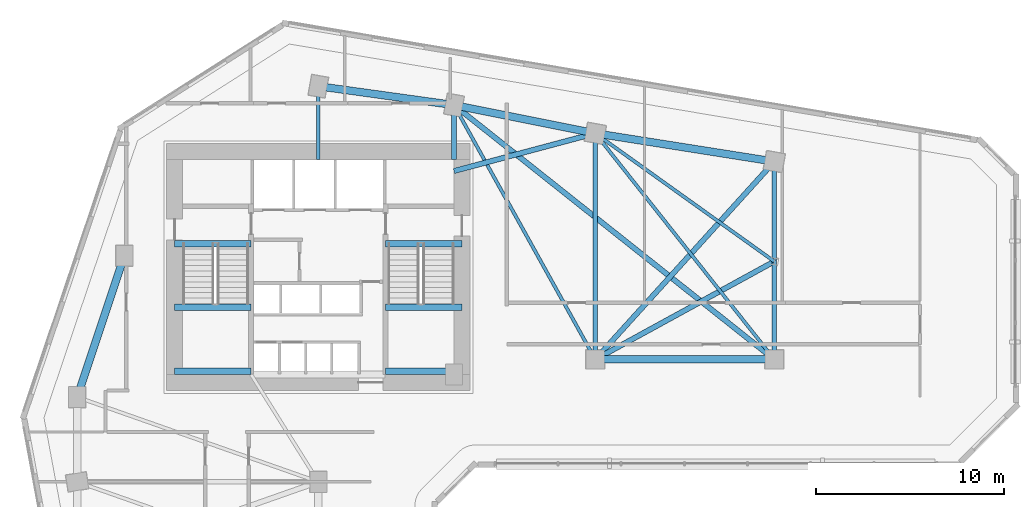
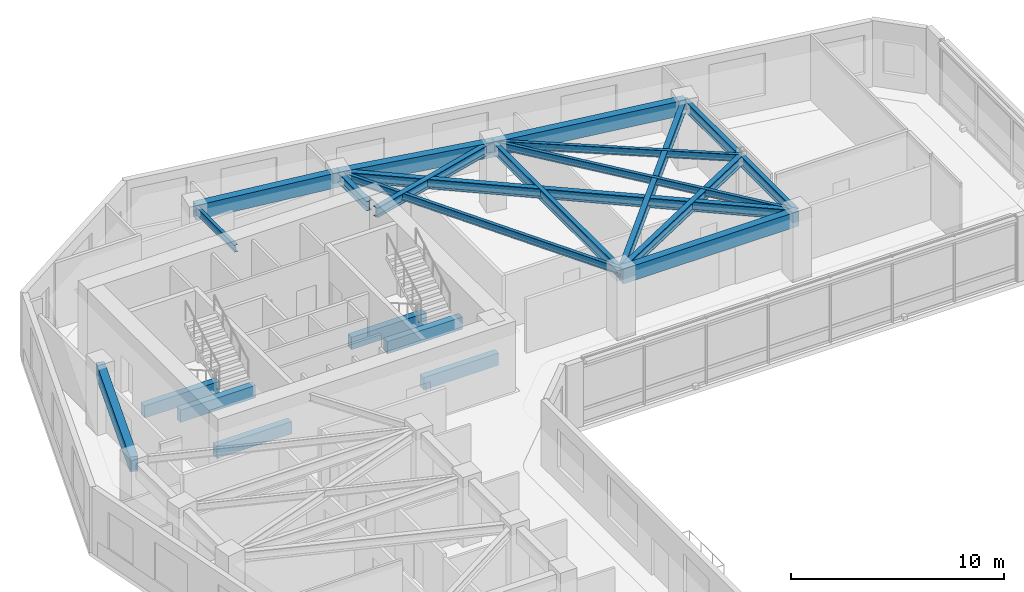
# One storey, part 3 of 12: 22 beams.
"""IFC4 building model written with IfcOpenShell, lengths in metres."""

from ifc_helpers import new_model, si_unit, direction, frame, origin, origin_2d, place, context, subcontext, project, spatial, rectangle, i_section, extrude, source, transform, mapped, material, material_profile, profile_set, type_object, element, save


model = new_model("IFC4")

# Units and contexts
model_context = context("Model", 3, precision=1e-05, world=origin(), true_north=direction((0.0, 1.0)))
body_context = subcontext(model_context, "Body", "Model", "MODEL_VIEW")
ifc_project = project(units=[si_unit("LENGTHUNIT", "METRE"), si_unit("AREAUNIT", "SQUARE_METRE"), si_unit("VOLUMEUNIT", "CUBIC_METRE"), si_unit("PLANEANGLEUNIT", "RADIAN"), si_unit("MASSUNIT", "GRAM", prefix="KILO")], contexts=[model_context])

# Site, building, storey
site_placement = place(None, origin())
site = spatial("IfcSite", under=ifc_project, at=site_placement, CompositionType="ELEMENT")
building_placement = place(site_placement, origin())
building = spatial("IfcBuilding", under=site, at=building_placement, Name="Calvemar Wedge Station Tower", CompositionType="ELEMENT")
storey_placement = place(building_placement, frame((0.0, 0.0, 51.0)))
storey = spatial("IfcBuildingStorey", under=building, at=storey_placement, Name="L12", CompositionType="ELEMENT", Elevation=51.0)

# Beams
ifc_material_1 = material(Name="Concrete C70", Category="concrete")
ifc_material_profile_1 = material_profile(ifc_material_1, rectangle(XDim=0.35009765625, YDim=0.699951171875, at=origin_2d()), Name="RC350x700")
ifc_profile_set_1 = profile_set([ifc_material_profile_1], Name="Concrete C70")
beam_type_1 = type_object("IfcBeamType", Name="BM-LN1-700", PredefinedType="LINTEL", material=ifc_profile_set_1)
shared_shape_1 = source(origin(), body_context, "Body", "SweptSolid", [
    extrude(rectangle(XDim=0.35009765625, YDim=0.699951171875, at=origin_2d()), origin(), (0.0, 0.0, 1.0), 4.054931640625),
])
for number, where, z_axis, x_axis, name in (
    (1, (16.175048828125, 41.14990234375, -0.35009765625), (1.0, 0.0, 0.0), (0.0, 1.0, 0.0), "Storey L12 Stair ST-C1 Landing Trimmer Beam"),
    (2, (27.3701171875, 41.14990234375, -0.35009765625), (1.0, 0.0, 0.0), (0.0, 1.0, 0.0), "Storey L12 Stair ST-C2 Landing Trimmer Beam"),
    (3, (16.175048828125, 34.3798828125, 1.449951171875), (1.0, 0.0, 0.0), (0.0, 1.0, 0.0), "Storey L12 Stair ST-C1 Half-Landing Beam 1A"),
    (4, (16.175048828125, 37.780029296875, 1.449951171875), (1.0, 0.0, 0.0), (0.0, 1.0, 0.0), "Storey L12 Stair ST-C1 Half-Landing Beam 1B"),
    (5, (27.3701171875, 34.3798828125, 1.449951171875), (1.0, 0.0, 0.0), (0.0, 1.0, 0.0), "Storey L12 Stair ST-C2 Half-Landing Beam 1A"),
    (6, (27.3701171875, 37.780029296875, 1.449951171875), (1.0, 0.0, 0.0), (0.0, 1.0, 0.0), "Storey L12 Stair ST-C2 Half-Landing Beam 1B"),
):
    element("IfcBeam", number, at=place(storey_placement, frame(where, z_axis=z_axis, x_axis=x_axis)), inside=storey, type_object=beam_type_1, Name=name, PredefinedType="LINTEL", context=body_context, shape_type="MappedRepresentation", body=[
        mapped(shared_shape_1, transform((0.0, 0.0, 0.0), scale=1.0)),
    ])
ifc_material_2 = material(Name="Concrete C60", Category="concrete")
ifc_material_profile_2 = material_profile(ifc_material_2, rectangle(XDim=0.39990234375, YDim=0.85009765625, at=origin_2d()), Name="RC400x850")
ifc_profile_set_2 = profile_set([ifc_material_profile_2], Name="Concrete C60")
beam_type_2 = type_object("IfcBeamType", Name="BM-SP1-850", PredefinedType="SPANDREL", material=ifc_profile_set_2)
shared_shape_2 = source(origin(), body_context, "Body", "SweptSolid", [
    extrude(rectangle(XDim=0.39990234375, YDim=0.85009765625, at=origin_2d()), origin(), (0.0, 0.0, 1.0), 7.90576171875),
])
beam_1_placement = place(storey_placement, frame((11.0, 33.0, 3.324951171875), z_axis=(0.316227766017, 0.948683298051, 0.0), x_axis=(-0.948683298051, 0.316227766017, 0.0)))
element("IfcBeam", 7, at=beam_1_placement, inside=storey, type_object=beam_type_2, Name="Storey L12 Spandrel T-NW1-T-NW2", PredefinedType="SPANDREL", context=body_context, shape_type="MappedRepresentation", body=[
    mapped(shared_shape_2, transform((0.0, 0.0, 0.0), scale=1.0)),
])
shared_shape_3 = source(origin(), body_context, "Body", "SweptSolid", [
    extrude(rectangle(XDim=0.39990234375, YDim=0.85009765625, at=origin_2d()), origin(), (0.0, 0.0, 1.0), 7.26904296875),
])
beam_2_placement = place(storey_placement, frame((23.800048828125, 49.5, 3.324951171875), z_axis=(0.990492146053, -0.13756928657, 0.0), x_axis=(0.13756928657, 0.990492146053, 0.0)))
element("IfcBeam", 8, at=beam_2_placement, inside=storey, type_object=beam_type_2, Name="Storey L12 Spandrel T-N1-T-N2", PredefinedType="SPANDREL", context=body_context, shape_type="MappedRepresentation", body=[
    mapped(shared_shape_3, transform((0.0, 0.0, 0.0), scale=1.0)),
])
shared_shape_4 = source(origin(), body_context, "Body", "SweptSolid", [
    extrude(rectangle(XDim=0.39990234375, YDim=0.85009765625, at=origin_2d()), origin(), (0.0, 0.0, 1.0), 7.6484375),
])
beam_3_placement = place(storey_placement, frame((31.0, 48.5, 3.324951171875), z_axis=(0.980580675691, -0.196116135138, 0.0), x_axis=(0.196116135138, 0.980580675691, 0.0)))
element("IfcBeam", 9, at=beam_3_placement, inside=storey, type_object=beam_type_2, Name="Storey L12 Spandrel T-N2-T-NU3", PredefinedType="SPANDREL", context=body_context, shape_type="MappedRepresentation", body=[
    mapped(shared_shape_4, transform((0.0, 0.0, 0.0), scale=1.0)),
])
shared_shape_5 = source(origin(), body_context, "Body", "SweptSolid", [
    extrude(rectangle(XDim=0.39990234375, YDim=0.85009765625, at=origin_2d()), origin(), (0.0, 0.0, 1.0), 9.61767578125),
])
beam_4_placement = place(storey_placement, frame((38.5, 47.0, 3.324951171875), z_axis=(0.987762965329, -0.155962573473, 0.0), x_axis=(0.155962573473, 0.987762965329, 0.0)))
element("IfcBeam", 10, at=beam_4_placement, inside=storey, type_object=beam_type_2, Name="Storey L12 Spandrel T-NU3-T-NU4", PredefinedType="SPANDREL", context=body_context, shape_type="MappedRepresentation", body=[
    mapped(shared_shape_5, transform((0.0, 0.0, 0.0), scale=1.0)),
])
shared_shape_6 = source(origin(), body_context, "Body", "SweptSolid", [
    extrude(rectangle(XDim=0.39990234375, YDim=0.85009765625, at=origin_2d()), origin(), (0.0, 0.0, 1.0), 9.5),
])
beam_5_placement = place(storey_placement, frame((38.5, 35.0, 3.324951171875), z_axis=(1.0, 0.0, 0.0), x_axis=(0.0, 1.0, 0.0)))
element("IfcBeam", 11, at=beam_5_placement, inside=storey, type_object=beam_type_2, Name="Storey L12 Spandrel T-NL2-T-NL3", PredefinedType="SPANDREL", context=body_context, shape_type="MappedRepresentation", body=[
    mapped(shared_shape_6, transform((0.0, 0.0, 0.0), scale=1.0)),
])
ifc_material_3 = material(Name="Structural steel ASTM A572 Grade 50", Category="steel")
ifc_material_profile_3 = material_profile(ifc_material_3, i_section(OverallWidth=0.22998046875, OverallDepth=0.616943359375, WebThickness=0.01318359375, FlangeThickness=0.022216796875, FilletRadius=0.012939453125, at=origin_2d()), Name="W610x140")
ifc_profile_set_3 = profile_set([ifc_material_profile_3], Name="Structural steel ASTM A572 Grade 50")
beam_type_3 = type_object("IfcBeamType", Name="BM-SB2-W610", PredefinedType="BEAM", material=ifc_profile_set_3)
shared_shape_7 = source(origin(), body_context, "Body", "SweptSolid", [
    extrude(i_section(OverallWidth=0.22998046875, OverallDepth=0.616943359375, WebThickness=0.01318359375, FlangeThickness=0.022216796875, FilletRadius=0.012939453125, at=origin_2d()), origin(), (0.0, 0.0, 1.0), 12.0),
])
beam_6_placement = place(storey_placement, frame((38.5, 47.0, 3.44140625), z_axis=(0.0, -1.0, 0.0), x_axis=(1.0, 0.0, 0.0)))
element("IfcBeam", 12, at=beam_6_placement, inside=storey, type_object=beam_type_3, Name="Storey L12 Floor Beam T-NU3-T-NL2", PredefinedType="BEAM", context=body_context, shape_type="MappedRepresentation", body=[
    mapped(shared_shape_7, transform((0.0, 0.0, 0.0), scale=1.0)),
])
shared_shape_8 = source(origin(), body_context, "Body", "SweptSolid", [
    extrude(i_section(OverallWidth=0.22998046875, OverallDepth=0.616943359375, WebThickness=0.01318359375, FlangeThickness=0.022216796875, FilletRadius=0.012939453125, at=origin_2d()), origin(), (0.0, 0.0, 1.0), 10.5),
])
beam_7_placement = place(storey_placement, frame((48.0, 45.5, 3.44140625), z_axis=(0.0, -1.0, 0.0), x_axis=(1.0, 0.0, 0.0)))
element("IfcBeam", 13, at=beam_7_placement, inside=storey, type_object=beam_type_3, Name="Storey L12 Floor Beam T-NU4-T-NL3", PredefinedType="BEAM", context=body_context, shape_type="MappedRepresentation", body=[
    mapped(shared_shape_8, transform((0.0, 0.0, 0.0), scale=1.0)),
])
ifc_material_profile_4 = material_profile(ifc_material_3, i_section(OverallWidth=0.177978515625, OverallDepth=0.406982421875, WebThickness=0.0078125, FlangeThickness=0.0126953125, FilletRadius=0.010009765625, at=origin_2d()), Name="W410x60")
ifc_profile_set_4 = profile_set([ifc_material_profile_4], Name="Structural steel ASTM A572 Grade 50")
beam_type_4 = type_object("IfcBeamType", Name="BM-J3-W410", PredefinedType="JOIST", material=ifc_profile_set_4)
shared_shape_9 = source(origin(), body_context, "Body", "SweptSolid", [
    extrude(i_section(OverallWidth=0.177978515625, OverallDepth=0.406982421875, WebThickness=0.0078125, FlangeThickness=0.0126953125, FilletRadius=0.010009765625, at=origin_2d()), origin(), (0.0, 0.0, 1.0), 15.443359375),
])
beam_8_placement = place(storey_placement, frame((31.0, 48.5, 3.54638671875), z_axis=(0.485642931179, -0.874157276122, 0.0), x_axis=(0.874157276122, 0.485642931179, 0.0)))
element("IfcBeam", 14, at=beam_8_placement, inside=storey, type_object=beam_type_4, Name="Storey L12 Floor Beam T-N2-T-NL2", PredefinedType="JOIST", context=body_context, shape_type="MappedRepresentation", body=[
    mapped(shared_shape_9, transform((0.0, 0.0, 0.0), scale=1.0)),
])
ifc_material_profile_5 = material_profile(ifc_material_3, i_section(OverallWidth=0.279052734375, OverallDepth=0.553955078125, WebThickness=0.017578125, FlangeThickness=0.029541015625, FilletRadius=0.014892578125, at=origin_2d()), Name="W530x196")
ifc_profile_set_5 = profile_set([ifc_material_profile_5], Name="Structural steel ASTM A572 Grade 50")
beam_type_5 = type_object("IfcBeamType", Name="BM-SB3-W530H", PredefinedType="BEAM", material=ifc_profile_set_5)
shared_shape_10 = source(origin(), body_context, "Body", "SweptSolid", [
    extrude(i_section(OverallWidth=0.279052734375, OverallDepth=0.553955078125, WebThickness=0.017578125, FlangeThickness=0.029541015625, FilletRadius=0.014892578125, at=origin_2d()), origin(), (0.0, 0.0, 1.0), 21.708251953125),
])
beam_9_placement = place(storey_placement, frame((31.0, 48.5, 3.472900390625), z_axis=(0.783110847498, -0.621882143602, 0.0), x_axis=(0.621882143602, 0.783110847498, 0.0)))
element("IfcBeam", 15, at=beam_9_placement, inside=storey, type_object=beam_type_5, Name="Storey L12 Floor Beam T-N2-T-NL3", PredefinedType="BEAM", context=body_context, shape_type="MappedRepresentation", body=[
    mapped(shared_shape_10, transform((0.0, 0.0, 0.0), scale=1.0)),
])
shared_shape_11 = source(origin(), body_context, "Body", "SweptSolid", [
    extrude(i_section(OverallWidth=0.177978515625, OverallDepth=0.406982421875, WebThickness=0.0078125, FlangeThickness=0.0126953125, FilletRadius=0.010009765625, at=origin_2d()), origin(), (0.0, 0.0, 1.0), 15.30517578125),
])
beam_10_placement = place(storey_placement, frame((38.5, 47.0, 3.54638671875), z_axis=(0.620702944366, -0.784045824462, 0.0), x_axis=(0.784045824462, 0.620702944366, 0.0)))
element("IfcBeam", 16, at=beam_10_placement, inside=storey, type_object=beam_type_4, Name="Storey L12 Floor Beam T-NU3-T-NL3", PredefinedType="JOIST", context=body_context, shape_type="MappedRepresentation", body=[
    mapped(shared_shape_11, transform((0.0, 0.0, 0.0), scale=1.0)),
])
shared_shape_12 = source(origin(), body_context, "Body", "SweptSolid", [
    extrude(i_section(OverallWidth=0.279052734375, OverallDepth=0.553955078125, WebThickness=0.017578125, FlangeThickness=0.029541015625, FilletRadius=0.014892578125, at=origin_2d()), origin(), (0.0, 0.0, 1.0), 14.159912109375),
])
beam_11_placement = place(storey_placement, frame((38.5, 35.0, 3.472900390625), z_axis=(0.670913323969, 0.741535779124, 0.0), x_axis=(-0.741535779124, 0.670913323969, 0.0)))
element("IfcBeam", 17, at=beam_11_placement, inside=storey, type_object=beam_type_5, Name="Storey L12 Floor Beam T-NL2-T-NU4", PredefinedType="BEAM", context=body_context, shape_type="MappedRepresentation", body=[
    mapped(shared_shape_12, transform((0.0, 0.0, 0.0), scale=1.0)),
])
shared_shape_13 = source(origin(), body_context, "Body", "SweptSolid", [
    extrude(i_section(OverallWidth=0.177978515625, OverallDepth=0.406982421875, WebThickness=0.0078125, FlangeThickness=0.0126953125, FilletRadius=0.010009765625, at=origin_2d()), origin(), (0.0, 0.0, 1.0), 11.682861328125),
])
beam_12_placement = place(storey_placement, frame((48.0, 40.199951171875, 3.54638671875), z_axis=(-0.81315274409, 0.582050354161, 0.0), x_axis=(-0.582050354161, -0.81315274409, 0.0)))
element("IfcBeam", 18, at=beam_12_placement, inside=storey, type_object=beam_type_4, Name="Storey L12 Floor Beam T-NTIP-A-T-NU3", PredefinedType="JOIST", context=body_context, shape_type="MappedRepresentation", body=[
    mapped(shared_shape_13, transform((0.0, 0.0, 0.0), scale=1.0)),
])
shared_shape_14 = source(origin(), body_context, "Body", "SweptSolid", [
    extrude(i_section(OverallWidth=0.279052734375, OverallDepth=0.553955078125, WebThickness=0.017578125, FlangeThickness=0.029541015625, FilletRadius=0.014892578125, at=origin_2d()), origin(), (0.0, 0.0, 1.0), 10.830078125),
])
beam_13_placement = place(storey_placement, frame((48.0, 40.199951171875, 3.472900390625), z_axis=(-0.877190767997, -0.480142017053, 0.0), x_axis=(0.480142017053, -0.877190767997, 0.0)))
element("IfcBeam", 19, at=beam_13_placement, inside=storey, type_object=beam_type_5, Name="Storey L12 Floor Beam T-NTIP-A-T-NL2", PredefinedType="BEAM", context=body_context, shape_type="MappedRepresentation", body=[
    mapped(shared_shape_14, transform((0.0, 0.0, 0.0), scale=1.0)),
])
shared_shape_15 = source(origin(), body_context, "Body", "SweptSolid", [
    extrude(i_section(OverallWidth=0.279052734375, OverallDepth=0.553955078125, WebThickness=0.017578125, FlangeThickness=0.029541015625, FilletRadius=0.014892578125, at=origin_2d()), origin(), (0.0, 0.0, 1.0), 7.76220703125),
])
beam_14_placement = place(storey_placement, frame((31.0, 45.0, 3.472900390625), z_axis=(0.966234939601, 0.25766265056, 0.0), x_axis=(-0.25766265056, 0.966234939601, 0.0)))
element("IfcBeam", 20, at=beam_14_placement, inside=storey, type_object=beam_type_5, Name="Storey L12 Core-to-Column Joist CJ-E2", PredefinedType="BEAM", context=body_context, shape_type="MappedRepresentation", body=[
    mapped(shared_shape_15, transform((0.0, 0.0, 0.0), scale=1.0)),
])
shared_shape_16 = source(origin(), body_context, "Body", "SweptSolid", [
    extrude(i_section(OverallWidth=0.177978515625, OverallDepth=0.406982421875, WebThickness=0.0078125, FlangeThickness=0.0126953125, FilletRadius=0.010009765625, at=origin_2d()), origin(), (0.0, 0.0, 1.0), 3.89990234375),
])
beam_15_placement = place(storey_placement, frame((23.800048828125, 45.60009765625, 3.54638671875), z_axis=(0.0, 1.0, 0.0), x_axis=(-1.0, 0.0, 0.0)))
element("IfcBeam", 21, at=beam_15_placement, inside=storey, type_object=beam_type_4, Name="Storey L12 Core-to-Column Joist CJ-N1", PredefinedType="JOIST", context=body_context, shape_type="MappedRepresentation", body=[
    mapped(shared_shape_16, transform((0.0, 0.0, 0.0), scale=1.0)),
])
shared_shape_17 = source(origin(), body_context, "Body", "SweptSolid", [
    extrude(i_section(OverallWidth=0.279052734375, OverallDepth=0.553955078125, WebThickness=0.017578125, FlangeThickness=0.029541015625, FilletRadius=0.014892578125, at=origin_2d()), origin(), (0.0, 0.0, 1.0), 2.89990234375),
])
beam_16_placement = place(storey_placement, frame((31.0, 45.60009765625, 3.472900390625), z_axis=(0.0, 1.0, 0.0), x_axis=(-1.0, 0.0, 0.0)))
element("IfcBeam", 22, at=beam_16_placement, inside=storey, type_object=beam_type_5, Name="Storey L12 Core-to-Column Joist CJ-N2", PredefinedType="BEAM", context=body_context, shape_type="MappedRepresentation", body=[
    mapped(shared_shape_17, transform((0.0, 0.0, 0.0), scale=1.0)),
])

save(model, "model.ifc")
